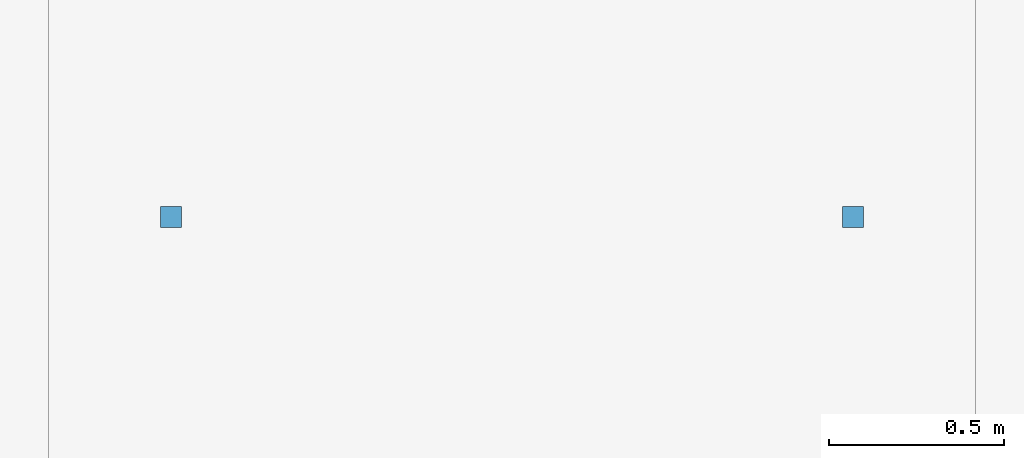
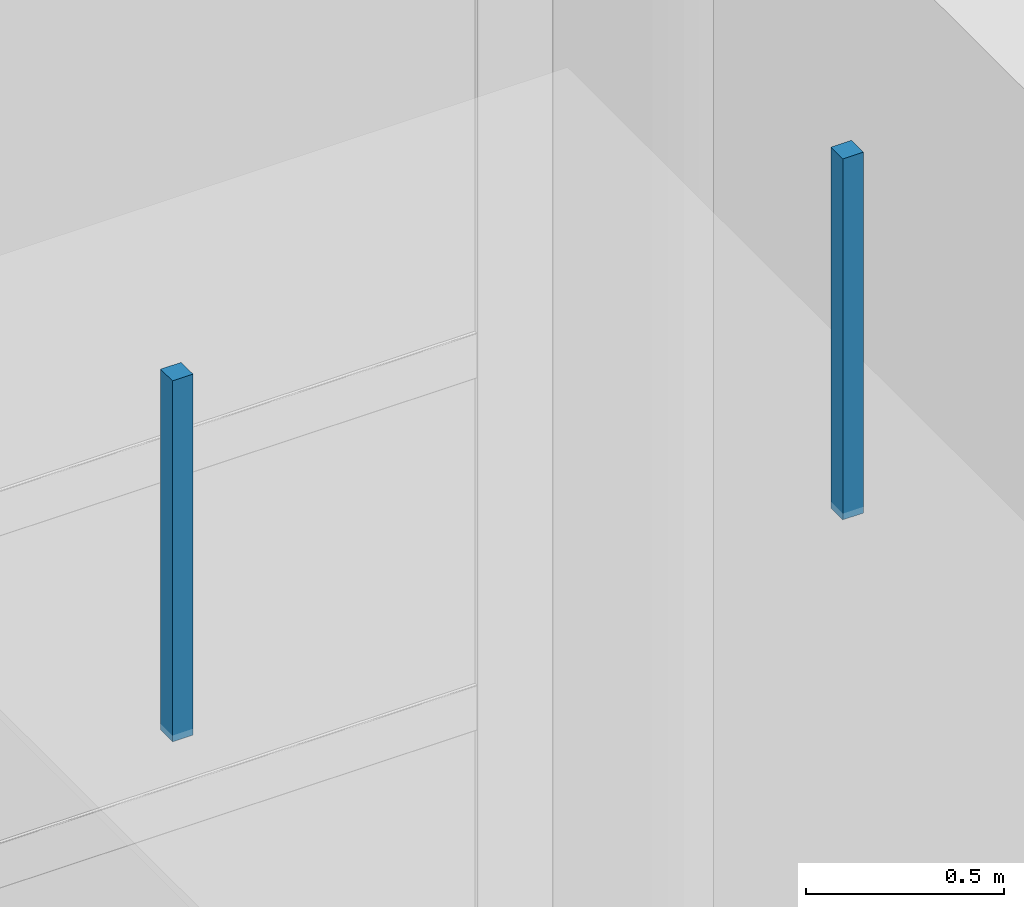
# One storey, part 113 of 141: 2 discrete accessories.
"""IFC4 building model written with IfcOpenShell, lengths in metres."""

import ifcopenshell
import ifcopenshell.guid

model = None  # the IFC model being written
_history = None  # IfcOwnerHistory: only IFC2X3 demands one
_inside = {}  # id of a spatial element -> (the spatial element, [elements in it])
_under = {}  # id of a project, library or spatial element -> (it, [spatial elements below it])
_declared = {}  # id of a project -> (the project, [libraries it declares])
_typed = {}  # id of a type object -> (the type object, [elements of that type])
_made_of = {}  # id of a material, layer set ... -> (it, [elements and type objects made of it])


def new_model(schema):
    """Start an empty IFC model of exactly this schema.

    Asked for "IFC4X3", IfcOpenShell would pick the latest addendum, in which some entities
    have other attributes; the version numbers below select the first issue.
    IFC2X3 requires an IfcOwnerHistory on every rooted entity: one is made here for all.
    """
    global model, _history
    if schema == "IFC4X3":
        model = ifcopenshell.file(schema_version=(4, 3, 0, 0))
    else:
        model = ifcopenshell.file(schema=schema)
    _inside.clear()
    _under.clear()
    _declared.clear()
    _typed.clear()
    _made_of.clear()
    _history = None
    if model.schema == "IFC2X3":
        org = make("IfcOrganization", Name="unknown")
        user = make(
            "IfcPersonAndOrganization",
            ThePerson=make("IfcPerson", FamilyName="unknown"),
            TheOrganization=org,
        )
        app = make(
            "IfcApplication",
            ApplicationDeveloper=org,
            Version="unknown",
            ApplicationFullName="unknown",
            ApplicationIdentifier="unknown",
        )
        _history = make(
            "IfcOwnerHistory",
            OwningUser=user,
            OwningApplication=app,
            ChangeAction="ADDED",
            CreationDate=0,
        )
    return model


def make(cls, **values):
    """One entity of the class cls with the attributes given. An attribute that is None is left unset."""
    return model.create_entity(
        cls, **{name: value for name, value in values.items() if value is not None}
    )


def rooted(cls, **values):
    """An entity with a GlobalId (a new one), such as an element, a storey or a relation."""
    return make(cls, GlobalId=ifcopenshell.guid.new(), OwnerHistory=_history, **values)


def si_unit(unit_type, name, prefix=None):
    """IfcSIUnit, for example si_unit("LENGTHUNIT", "METRE", prefix="MILLI")."""
    return make("IfcSIUnit", UnitType=unit_type, Prefix=prefix, Name=name)


def assignment(units):
    """IfcUnitAssignment: the units of a project."""
    return None if units is None else make("IfcUnitAssignment", Units=units)


def point(xyz):
    """IfcCartesianPoint."""
    return None if xyz is None else make("IfcCartesianPoint", Coordinates=xyz)


def direction(xyz):
    """IfcDirection."""
    return None if xyz is None else make("IfcDirection", DirectionRatios=xyz)


def frame(location, z_axis=None, x_axis=None):
    """IfcAxis2Placement3D, a coordinate frame: its origin and axes. An axis left out is left unset."""
    return make(
        "IfcAxis2Placement3D",
        Location=point(location),
        Axis=direction(z_axis),
        RefDirection=direction(x_axis),
    )


def frame_2d(location, x_axis=None):
    """IfcAxis2Placement2D, a coordinate frame in the plane: its origin and x axis."""
    return make(
        "IfcAxis2Placement2D", Location=point(location), RefDirection=direction(x_axis)
    )


def origin():
    """The frame at (0, 0, 0) with its axes left unset."""
    return frame((0.0, 0.0, 0.0))


def origin_2d():
    """The frame at (0, 0) in the plane with its x axis left unset."""
    return frame_2d((0.0, 0.0))


def place(relative_to, where):
    """IfcLocalPlacement: puts the frame where relative to a parent placement (None: the world)."""
    return make(
        "IfcLocalPlacement", PlacementRelTo=relative_to, RelativePlacement=where
    )


def context(
    kind, dimensions, precision=None, world=None, true_north=None, identifier=None
):
    """IfcGeometricRepresentationContext, for example the 3D "Model" context."""
    return make(
        "IfcGeometricRepresentationContext",
        ContextIdentifier=identifier,
        ContextType=kind,
        CoordinateSpaceDimension=dimensions,
        Precision=precision,
        WorldCoordinateSystem=world,
        TrueNorth=true_north,
    )


def subcontext(parent, identifier, kind, view, scale=None):
    """IfcGeometricRepresentationSubContext, for example "Body" below "Model"."""
    return make(
        "IfcGeometricRepresentationSubContext",
        ContextIdentifier=identifier,
        ContextType=kind,
        ParentContext=parent,
        TargetScale=scale,
        TargetView=view,
    )


def project(units=None, contexts=None):
    """IfcProject with its units and contexts."""
    return rooted(
        "IfcProject",
        Name="project",
        RepresentationContexts=contexts,
        UnitsInContext=assignment(units),
    )


def spatial(cls, under=None, at=None, **own):
    """A site, building, storey or space (cls), placed at a placement, below another one or the project."""
    s = rooted(cls, ObjectPlacement=at, **own)
    if under is not None:
        _under.setdefault(under.id(), (under, []))[1].append(s)
    return s


def profile(cls, at=None, kind="AREA", **sizes):
    """A parametric profile (cls). Its sizes go by their IFC names, for example OverallWidth=200.0."""
    return make(cls, ProfileType=kind, Position=at, **sizes)


def rectangle(**sizes):
    """IfcRectangleProfileDef."""
    return profile("IfcRectangleProfileDef", **sizes)


def extrude(swept, where, along, depth):
    """IfcExtrudedAreaSolid: the profile swept, set in the frame where, extruded along a direction by depth."""
    return make(
        "IfcExtrudedAreaSolid",
        SweptArea=swept,
        Position=where,
        ExtrudedDirection=direction(along),
        Depth=depth,
    )


def shape(context_of_items, identifier, shape_type, items):
    """IfcShapeRepresentation: the items that make up one representation, for example the "Body"."""
    return make(
        "IfcShapeRepresentation",
        ContextOfItems=context_of_items,
        RepresentationIdentifier=identifier,
        RepresentationType=shape_type,
        Items=items,
    )


def material(Name=None, Category=None):
    """IfcMaterial."""
    return make("IfcMaterial", Name=Name, Category=Category)


def made_of(thing, what):
    """Note that an element or type object is made of a material, layer set ...; save() writes the relation."""
    if what is not None:
        _made_of.setdefault(what.id(), (what, []))[1].append(thing)
    return thing


def type_object(cls, material=None, **own):
    """A type object (cls), such as IfcWallType, which elements share."""
    return made_of(rooted(cls, **own), material)


def element(
    cls,
    number,
    at=None,
    inside=None,
    cuts=None,
    type_object=None,
    material=None,
    context=None,
    identifier="Body",
    shape_type=None,
    held_by="IfcProductDefinitionShape",
    body=None,
    shapes=None,
    **own,
):
    """One element of the class cls, such as IfcWall. Its Tag is "e" and its number.

    at: its placement. inside: the storey or other place that contains it. cuts: it is an
    opening in that element (IfcRelVoidsElement). A single representation is given by context,
    identifier, shape_type and body (its items); several are given by shapes. held_by: the class
    of the entity that holds the representations. save() writes the other relations.
    """
    e = rooted(cls, Tag="e%d" % number, ObjectPlacement=at, **own)
    if body is not None:
        shapes = [shape(context, identifier, shape_type, body)]
    if shapes is not None:
        e.Representation = make(held_by, Representations=shapes)
    if inside is not None:
        _inside.setdefault(inside.id(), (inside, []))[1].append(e)
    if cuts is not None:
        rooted(
            "IfcRelVoidsElement", RelatingBuildingElement=cuts, RelatedOpeningElement=e
        )
    if type_object is not None:
        _typed.setdefault(type_object.id(), (type_object, []))[1].append(e)
    return made_of(e, material)


def aggregate(whole, parts):
    """IfcRelAggregates: a whole, such as a stair, and the parts it consists of."""
    return rooted("IfcRelAggregates", RelatingObject=whole, RelatedObjects=parts)


def save(model, path):
    """Write the relations noted so far, then the file.

    IfcRelAggregates (storeys below a building ...), IfcRelContainedInSpatialStructure (elements
    in a storey), IfcRelDefinesByType, IfcRelAssociatesMaterial and IfcRelDeclares: one each for
    every whole, place, type object, material and project.
    """
    for whole, parts in _under.values():
        aggregate(whole, parts)
    for where, things in _inside.values():
        rooted(
            "IfcRelContainedInSpatialStructure",
            RelatedElements=things,
            RelatingStructure=where,
        )
    for kind, things in _typed.values():
        rooted("IfcRelDefinesByType", RelatedObjects=things, RelatingType=kind)
    for what, things in _made_of.values():
        rooted("IfcRelAssociatesMaterial", RelatedObjects=things, RelatingMaterial=what)
    for by, libraries in _declared.values():
        rooted("IfcRelDeclares", RelatingContext=by, RelatedDefinitions=libraries)
    model.write(path)


model = new_model("IFC4")

# Units and contexts
model_context = context("Model", 3, precision=1e-05, world=origin(), true_north=direction((0.0, 1.0)))
body_context = subcontext(model_context, "Body", "Model", "MODEL_VIEW")
ifc_project = project(units=[si_unit("LENGTHUNIT", "METRE"), si_unit("AREAUNIT", "SQUARE_METRE"), si_unit("VOLUMEUNIT", "CUBIC_METRE"), si_unit("PLANEANGLEUNIT", "RADIAN"), si_unit("MASSUNIT", "GRAM", prefix="KILO")], contexts=[model_context])

# Site, building, storey
site_placement = place(None, origin())
site = spatial("IfcSite", under=ifc_project, at=site_placement, CompositionType="ELEMENT")
building_placement = place(site_placement, origin())
building = spatial("IfcBuilding", under=site, at=building_placement, Name="Khelvaren Railside Concert Hall", CompositionType="ELEMENT")
storey_placement = place(building_placement, frame((0.0, 0.0, 10.199951171875)))
storey = spatial("IfcBuildingStorey", under=building, at=storey_placement, Name="L02", CompositionType="ELEMENT", Elevation=10.199951171875)

# Discrete accessories
ifc_material = material(Name="Galvanised steel acoustic ceiling hanger rod", Category="steel")
discrete_accessory_type = type_object("IfcDiscreteAccessoryType", Name="BRK62", PredefinedType="BRACKET", material=ifc_material)
for number, where, z_axis, x_axis, name in (
    (1, (132.89990234375, 12.385009765625, 3.43017578125), (0.0, 0.0, 1.0), (1.0, 0.0, 0.0), "Acoustic Ceiling Suspension Bracket 83-1"),
    (2, (134.85009765625, 12.385009765625, 3.43017578125), (0.0, 0.0, 1.0), (1.0, 0.0, 0.0), "Acoustic Ceiling Suspension Bracket 83-2"),
):
    element("IfcDiscreteAccessory", number, at=place(storey_placement, frame(where, z_axis=z_axis, x_axis=x_axis)), inside=storey, type_object=discrete_accessory_type, Name=name, PredefinedType="BRACKET", context=body_context, shape_type="SweptSolid", body=[
        extrude(rectangle(XDim=0.06005859375, YDim=0.06005859375, at=origin_2d()), origin(), (0.0, 0.0, 1.0), 1.110107421875),
    ])

save(model, "model.ifc")
